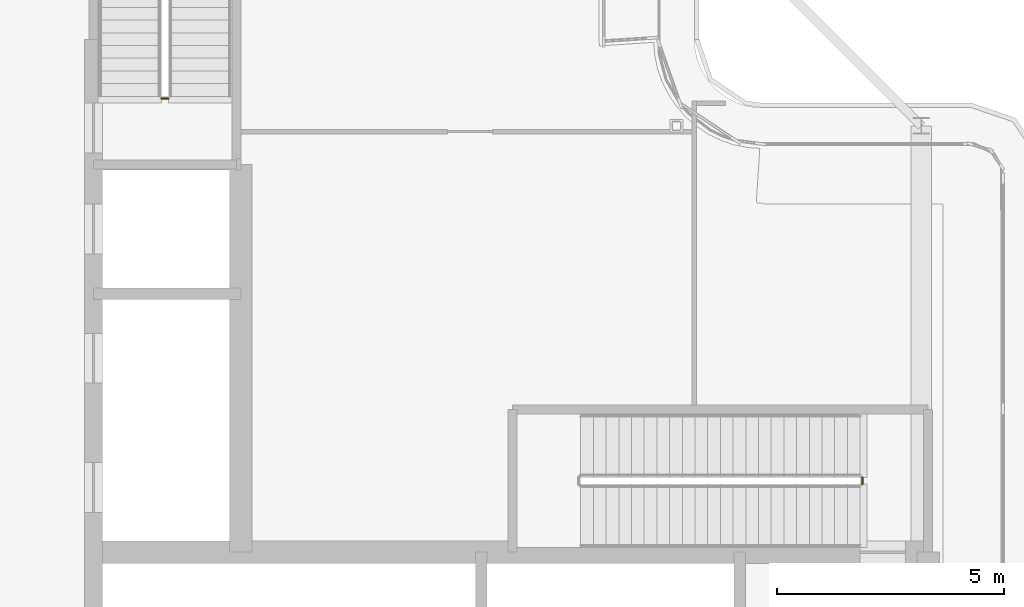
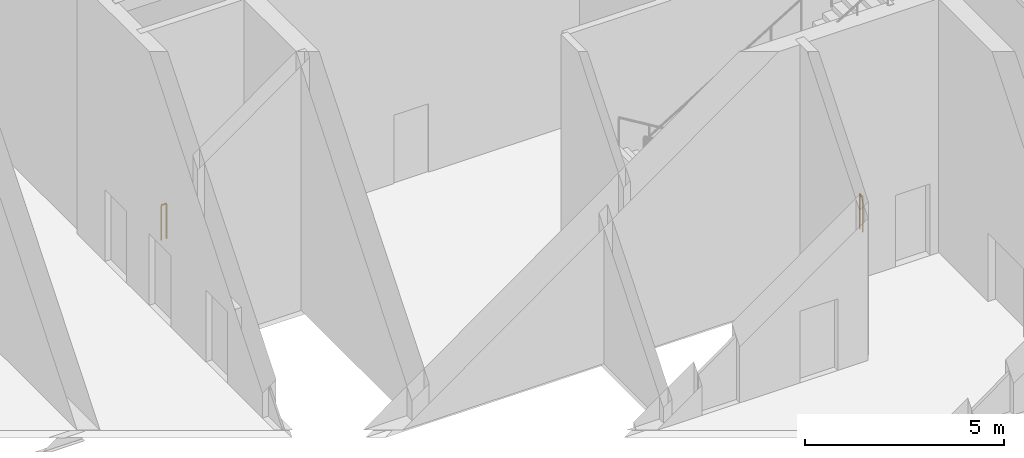
# One storey, part 20 of 23: 2 railings.
"""IFC4 building model written with IfcOpenShell, lengths in metres."""

from ifc_helpers import new_model, si_unit, direction, frame, origin, origin_2d, place, context, subcontext, project, spatial, circle, extrude, material, type_object, element, save


model = new_model("IFC4")

# Units and contexts
model_context = context("Model", 3, precision=1e-05, world=origin(), true_north=direction((0.0, 1.0)))
body_context = subcontext(model_context, "Body", "Model", "MODEL_VIEW")
ifc_project = project(units=[si_unit("LENGTHUNIT", "METRE"), si_unit("AREAUNIT", "SQUARE_METRE"), si_unit("VOLUMEUNIT", "CUBIC_METRE"), si_unit("PLANEANGLEUNIT", "RADIAN"), si_unit("MASSUNIT", "GRAM", prefix="KILO")], contexts=[model_context])

# Site, building, storey
site_placement = place(None, origin())
site = spatial("IfcSite", under=ifc_project, at=site_placement, CompositionType="ELEMENT")
building_placement = place(site_placement, origin())
building = spatial("IfcBuilding", under=site, at=building_placement, Name="Kheshtan School and Residences Tower", CompositionType="ELEMENT")
storey_placement = place(building_placement, frame((0.0, 0.0, 389.0)))
storey = spatial("IfcBuildingStorey", under=building, at=storey_placement, Name="L92", CompositionType="ELEMENT", Elevation=389.0)

# Railings
ifc_material = material(Name="Stainless steel balustrade", Category="steel")
railing_type = type_object("IfcRailingType", Name="Stair guard 1100", PredefinedType="GUARDRAIL", material=ifc_material)
railing_1_placement = place(storey_placement, frame((51.699951171875, 37.85009765625, 0.0)))
element("IfcRailing", 1, at=railing_1_placement, inside=storey, type_object=railing_type, Name="L92 ST1 stair guard 2", PredefinedType="GUARDRAIL", context=body_context, shape_type="SweptSolid", body=[
    extrude(circle(Radius=0.02392578125, at=origin_2d()), frame((0.0, 0.0, 1.076171875), z_axis=(0.0, -1.0, 0.0), x_axis=(1.0, 0.0, 0.0)), (0.0, 0.0, 1.0), 0.150146484375),
    extrude(circle(Radius=0.02099609375, at=origin_2d()), origin(), (0.0, 0.0, 1.0), 1.052001953125),
    extrude(circle(Radius=0.02099609375, at=origin_2d()), frame((0.0, -0.150146484375, 0.0)), (0.0, 0.0, 1.0), 1.052001953125),
])
railing_2_placement = place(storey_placement, frame((36.39990234375, 46.199951171875, 0.0)))
element("IfcRailing", 2, at=railing_2_placement, inside=storey, type_object=railing_type, Name="L92 ST2 stair guard 2", PredefinedType="GUARDRAIL", context=body_context, shape_type="SweptSolid", body=[
    extrude(circle(Radius=0.02392578125, at=origin_2d()), frame((0.0, 0.0, 1.076171875), z_axis=(-1.0, 0.0, 0.0), x_axis=(0.0, -1.0, 0.0)), (0.0, 0.0, 1.0), 0.14990234375),
    extrude(circle(Radius=0.02099609375, at=origin_2d()), origin(), (0.0, 0.0, 1.0), 1.052001953125),
    extrude(circle(Radius=0.02099609375, at=origin_2d()), frame((-0.14990234375, 0.0, 0.0)), (0.0, 0.0, 1.0), 1.052001953125),
])

save(model, "model.ifc")
